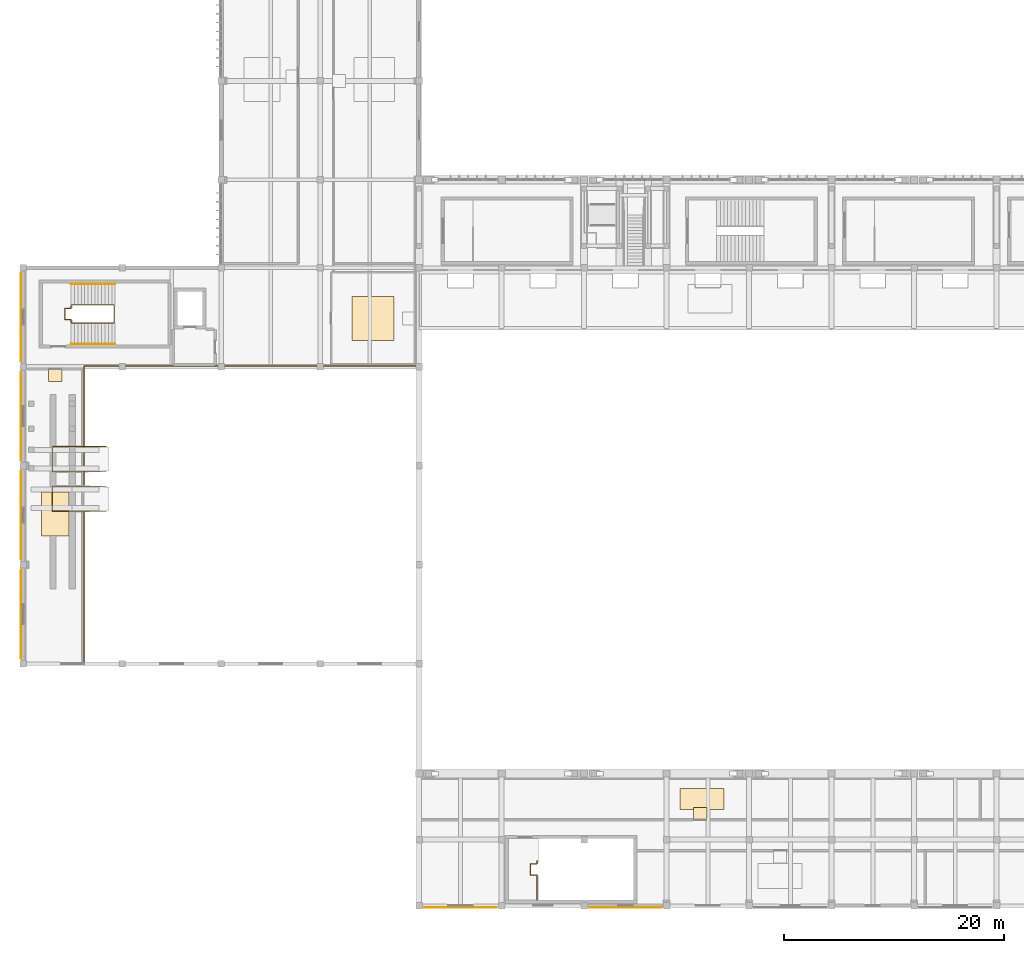
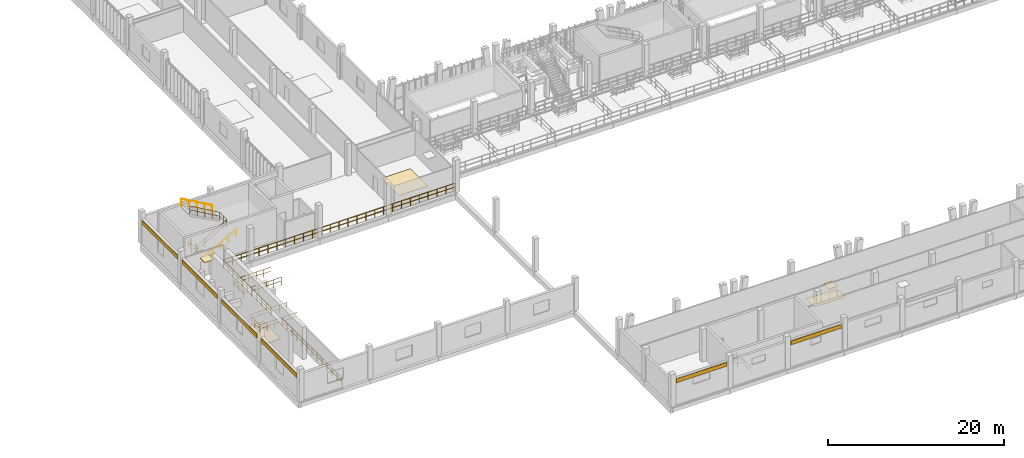
# One storey, part 66 of 81: 11 coverings, 9 railings.
"""IFC4 building model written with IfcOpenShell, lengths in metres."""

from ifc_helpers import new_model, si_unit, direction, frame, origin, origin_2d, place, context, subcontext, project, spatial, rectangle, circle, extrude, material, layer, layer_set, type_object, element, save


model = new_model("IFC4")

# Units and contexts
model_context = context("Model", 3, precision=1e-05, world=origin(), true_north=direction((0.0, 1.0)))
body_context = subcontext(model_context, "Body", "Model", "MODEL_VIEW")
ifc_project = project(units=[si_unit("LENGTHUNIT", "METRE"), si_unit("AREAUNIT", "SQUARE_METRE"), si_unit("VOLUMEUNIT", "CUBIC_METRE"), si_unit("PLANEANGLEUNIT", "RADIAN"), si_unit("MASSUNIT", "GRAM", prefix="KILO")], contexts=[model_context])

# Site, building, storey
site_placement = place(None, origin())
site = spatial("IfcSite", under=ifc_project, at=site_placement, CompositionType="ELEMENT")
building_placement = place(site_placement, origin())
building = spatial("IfcBuilding", under=site, at=building_placement, Name="Vourika Railside Aquatics Centre", CompositionType="ELEMENT")
storey_placement = place(building_placement, frame((0.0, 0.0, 4.800048828125)))
storey = spatial("IfcBuildingStorey", under=building, at=storey_placement, Name="L01", CompositionType="ELEMENT", Elevation=4.800048828125)

# Coverings
ifc_material_1 = material(Name="Perforated moisture-resistant acoustic gypsum ceiling")
ifc_layer_1 = layer(ifc_material_1, 0.02490234375, Name="COV-CEIL-25")
ifc_layer_set_1 = layer_set([ifc_layer_1], Name="Perforated moisture-resistant acoustic gypsum ceiling")
covering_type_1 = type_object("IfcCoveringType", Name="COV-CEIL-25", PredefinedType="CEILING", material=ifc_layer_set_1)
for number, where, z_axis, x_axis, name in (
    (1, (2.89990234375, 48.280029296875, 2.637451171875), (0.0, 0.0, 1.0), (1.0, 0.0, 0.0), "Dryland Diving Trampoline and Harness Studio Acoustic Ceiling Panel"),
    (2, (61.5576171875, 8.320068359375, 2.637451171875), (0.0, 0.0, 1.0), (1.0, 0.0, 0.0), "Technical Officials and Referees Changing Suite West Acoustic Ceiling Panel"),
):
    element("IfcCovering", number, at=place(storey_placement, frame(where, z_axis=z_axis, x_axis=x_axis)), inside=storey, type_object=covering_type_1, Name=name, PredefinedType="CEILING", context=body_context, shape_type="SweptSolid", body=[
        extrude(rectangle(XDim=1.199951171875, YDim=1.199951171875, at=origin_2d()), origin(), (0.0, 0.0, 1.0), 0.02490234375),
    ])
ifc_material_2 = material(Name="Bronze-anodized aluminium rainscreen", Category="aluminium")
ifc_layer_2 = layer(ifc_material_2, 0.044921875, Name="COV-CLAD-45")
ifc_layer_set_2 = layer_set([ifc_layer_2], Name="Bronze-anodized aluminium rainscreen")
covering_type_2 = type_object("IfcCoveringType", Name="COV-CLAD-45", PredefinedType="CLADDING", material=ifc_layer_set_2)
for number, where, z_axis, x_axis, name in (
    (3, (-0.18994140625, 26.5, 2.875), (0.0, 0.0, 1.0), (0.0, -1.0, 0.0), "Perforated Bronze Rainscreen Band CL-017"),
    (4, (-0.18994140625, 35.5, 2.875), (0.0, 0.0, 1.0), (0.0, -1.0, 0.0), "Perforated Bronze Rainscreen Band CL-018"),
    (5, (-0.18994140625, 44.5, 2.875), (0.0, 0.0, 1.0), (0.0, -1.0, 0.0), "Perforated Bronze Rainscreen Band CL-019"),
    (6, (-0.18994140625, 53.5, 2.875), (0.0, 0.0, 1.0), (0.0, -1.0, 0.0), "Perforated Bronze Rainscreen Band CL-020"),
):
    element("IfcCovering", number, at=place(storey_placement, frame(where, z_axis=z_axis, x_axis=x_axis)), inside=storey, type_object=covering_type_2, Name=name, PredefinedType="CLADDING", context=body_context, shape_type="SweptSolid", body=[
        extrude(rectangle(XDim=8.10009765625, YDim=0.044921875, at=origin_2d()), origin(), (0.0, 0.0, 1.0), 0.550048828125),
    ])
for number, where, z_axis, x_axis, name in (
    (7, (39.75, -0.1650390625, 3.07470703125), (0.0, 0.0, 1.0), (1.0, 0.0, 0.0), "Perforated Bronze Rainscreen Band CL-032"),
    (8, (54.75, -0.1650390625, 3.07470703125), (0.0, 0.0, 1.0), (1.0, 0.0, 0.0), "Perforated Bronze Rainscreen Band CL-033"),
):
    element("IfcCovering", number, at=place(storey_placement, frame(where, z_axis=z_axis, x_axis=x_axis)), inside=storey, type_object=covering_type_2, Name=name, PredefinedType="CLADDING", context=body_context, shape_type="SweptSolid", body=[
        extrude(rectangle(XDim=6.60009765625, YDim=0.044921875, at=origin_2d()), origin(), (0.0, 0.0, 1.0), 0.550048828125),
    ])
ifc_material_3 = material(Name="Slip-resistant aqua ceramic sports flooring")
ifc_layer_3 = layer(ifc_material_3, 0.02001953125, Name="COV-FLOR-20")
ifc_layer_set_3 = layer_set([ifc_layer_3], Name="Slip-resistant aqua ceramic sports flooring")
covering_type_3 = type_object("IfcCoveringType", Name="COV-FLOR-20", PredefinedType="FLOORING", material=ifc_layer_set_3)
covering_1_placement = place(storey_placement, frame((2.89990234375, 35.60009765625, 0.0), z_axis=(0.0, 0.0, 1.0), x_axis=(1.0, 0.0, 0.0)))
element("IfcCovering", 9, at=covering_1_placement, inside=storey, type_object=covering_type_3, Name="Dryland Diving Trampoline and Harness Studio Sports Flooring Panel", PredefinedType="FLOORING", context=body_context, shape_type="SweptSolid", body=[
    extrude(rectangle(XDim=2.5, YDim=4.0, at=origin_2d()), origin(), (0.0, 0.0, 1.0), 0.02001953125),
])
covering_2_placement = place(storey_placement, frame((31.800048828125, 53.39990234375, 0.0), z_axis=(0.0, 0.0, 1.0), x_axis=(1.0, 0.0, 0.0)))
element("IfcCovering", 10, at=covering_2_placement, inside=storey, type_object=covering_type_3, Name="Diving Judges and Coaching Observation Deck Sports Flooring Panel", PredefinedType="FLOORING", context=body_context, shape_type="SweptSolid", body=[
    extrude(rectangle(XDim=3.800048828125, YDim=4.0, at=origin_2d()), origin(), (0.0, 0.0, 1.0), 0.02001953125),
])
covering_3_placement = place(storey_placement, frame((61.699951171875, 9.699951171875, 0.0), z_axis=(0.0, 0.0, 1.0), x_axis=(1.0, 0.0, 0.0)))
element("IfcCovering", 11, at=covering_3_placement, inside=storey, type_object=covering_type_3, Name="Technical Officials and Referees Changing Suite West Sports Flooring Panel", PredefinedType="FLOORING", context=body_context, shape_type="SweptSolid", body=[
    extrude(rectangle(XDim=4.0, YDim=1.89990234375, at=origin_2d()), origin(), (0.0, 0.0, 1.0), 0.02001953125),
])

# Railings
ifc_material_4 = material(Name="Duplex stainless steel EN 1.4462", Category="steel")
railing_type_1 = type_object("IfcRailingType", Name="RL-BAL-GLS110", PredefinedType="BALUSTRADE", material=ifc_material_4)
railing_1_placement = place(storey_placement, frame((5.5400390625, 22.14990234375, 0.0)))
element("IfcRailing", 12, at=railing_1_placement, inside=storey, type_object=railing_type_1, Name="Dryland Gallery Poolside Guard South", PredefinedType="BALUSTRADE", context=body_context, shape_type="SweptSolid", body=[
    extrude(circle(Radius=0.02392578125, at=origin_2d()), frame((0.0, 0.0, 1.076171875), z_axis=(0.0, 1.0, 0.0), x_axis=(-1.0, 0.0, 0.0)), (0.0, 0.0, 1.0), 13.60009765625),
    extrude(circle(Radius=0.02392578125, at=origin_2d()), frame((0.0, 0.0, 0.550048828125), z_axis=(0.0, 1.0, 0.0), x_axis=(-1.0, 0.0, 0.0)), (0.0, 0.0, 1.0), 13.60009765625),
    extrude(circle(Radius=0.02099609375, at=origin_2d()), origin(), (0.0, 0.0, 1.0), 1.052001953125),
    extrude(circle(Radius=0.02099609375, at=origin_2d()), frame((0.0, 1.13330078125, 0.0)), (0.0, 0.0, 1.0), 1.052001953125),
    extrude(circle(Radius=0.02099609375, at=origin_2d()), frame((0.0, 2.2666015625, 0.0)), (0.0, 0.0, 1.0), 1.052001953125),
    extrude(circle(Radius=0.02099609375, at=origin_2d()), frame((0.0, 3.39990234375, 0.0)), (0.0, 0.0, 1.0), 1.052001953125),
    extrude(circle(Radius=0.02099609375, at=origin_2d()), frame((0.0, 4.533447265625, 0.0)), (0.0, 0.0, 1.0), 1.052001953125),
    extrude(circle(Radius=0.02099609375, at=origin_2d()), frame((0.0, 5.666748046875, 0.0)), (0.0, 0.0, 1.0), 1.052001953125),
    extrude(circle(Radius=0.02099609375, at=origin_2d()), frame((0.0, 6.800048828125, 0.0)), (0.0, 0.0, 1.0), 1.052001953125),
    extrude(circle(Radius=0.02099609375, at=origin_2d()), frame((0.0, 7.933349609375, 0.0)), (0.0, 0.0, 1.0), 1.052001953125),
    extrude(circle(Radius=0.02099609375, at=origin_2d()), frame((0.0, 9.066650390625, 0.0)), (0.0, 0.0, 1.0), 1.052001953125),
    extrude(circle(Radius=0.02099609375, at=origin_2d()), frame((0.0, 10.2001953125, 0.0)), (0.0, 0.0, 1.0), 1.052001953125),
    extrude(circle(Radius=0.02099609375, at=origin_2d()), frame((0.0, 11.33349609375, 0.0)), (0.0, 0.0, 1.0), 1.052001953125),
    extrude(circle(Radius=0.02099609375, at=origin_2d()), frame((0.0, 12.466796875, 0.0)), (0.0, 0.0, 1.0), 1.052001953125),
    extrude(circle(Radius=0.02099609375, at=origin_2d()), frame((0.0, 13.60009765625, 0.0)), (0.0, 0.0, 1.0), 1.052001953125),
])
railing_2_placement = place(storey_placement, frame((5.5400390625, 38.25, 0.0)))
element("IfcRailing", 13, at=railing_2_placement, inside=storey, type_object=railing_type_1, Name="Dryland & Judges Deck Poolside Balustrade", PredefinedType="BALUSTRADE", context=body_context, shape_type="SweptSolid", body=[
    extrude(circle(Radius=0.02392578125, at=origin_2d()), frame((0.0, 0.0, 1.076171875), z_axis=(0.0, 1.0, 0.0), x_axis=(-1.0, 0.0, 0.0)), (0.0, 0.0, 1.0), 10.81005859375),
    extrude(circle(Radius=0.02392578125, at=origin_2d()), frame((0.0, 0.0, 0.550048828125), z_axis=(0.0, 1.0, 0.0), x_axis=(-1.0, 0.0, 0.0)), (0.0, 0.0, 1.0), 10.81005859375),
    extrude(circle(Radius=0.02392578125, at=origin_2d()), frame((0.0, 10.81005859375, 1.076171875), z_axis=(1.0, 0.0, 0.0), x_axis=(0.0, 1.0, 0.0)), (0.0, 0.0, 1.0), 30.31005859375),
    extrude(circle(Radius=0.02392578125, at=origin_2d()), frame((0.0, 10.81005859375, 0.550048828125), z_axis=(1.0, 0.0, 0.0), x_axis=(0.0, 1.0, 0.0)), (0.0, 0.0, 1.0), 30.31005859375),
    extrude(circle(Radius=0.02099609375, at=origin_2d()), origin(), (0.0, 0.0, 1.0), 1.052001953125),
    extrude(circle(Radius=0.02099609375, at=origin_2d()), frame((0.0, 1.0810546875, 0.0)), (0.0, 0.0, 1.0), 1.052001953125),
    extrude(circle(Radius=0.02099609375, at=origin_2d()), frame((0.0, 2.162109375, 0.0)), (0.0, 0.0, 1.0), 1.052001953125),
    extrude(circle(Radius=0.02099609375, at=origin_2d()), frame((0.0, 3.242919921875, 0.0)), (0.0, 0.0, 1.0), 1.052001953125),
    extrude(circle(Radius=0.02099609375, at=origin_2d()), frame((0.0, 4.323974609375, 0.0)), (0.0, 0.0, 1.0), 1.052001953125),
    extrude(circle(Radius=0.02099609375, at=origin_2d()), frame((0.0, 5.405029296875, 0.0)), (0.0, 0.0, 1.0), 1.052001953125),
    extrude(circle(Radius=0.02099609375, at=origin_2d()), frame((0.0, 6.486083984375, 0.0)), (0.0, 0.0, 1.0), 1.052001953125),
    extrude(circle(Radius=0.02099609375, at=origin_2d()), frame((0.0, 7.567138671875, 0.0)), (0.0, 0.0, 1.0), 1.052001953125),
    extrude(circle(Radius=0.02099609375, at=origin_2d()), frame((0.0, 8.64794921875, 0.0)), (0.0, 0.0, 1.0), 1.052001953125),
    extrude(circle(Radius=0.02099609375, at=origin_2d()), frame((0.0, 9.72900390625, 0.0)), (0.0, 0.0, 1.0), 1.052001953125),
    extrude(circle(Radius=0.02099609375, at=origin_2d()), frame((0.0, 10.81005859375, 0.0)), (0.0, 0.0, 1.0), 1.052001953125),
    extrude(circle(Radius=0.02099609375, at=origin_2d()), frame((1.165771484375, 10.81005859375, 0.0)), (0.0, 0.0, 1.0), 1.052001953125),
    extrude(circle(Radius=0.02099609375, at=origin_2d()), frame((2.33154296875, 10.81005859375, 0.0)), (0.0, 0.0, 1.0), 1.052001953125),
    extrude(circle(Radius=0.02099609375, at=origin_2d()), frame((3.497314453125, 10.81005859375, 0.0)), (0.0, 0.0, 1.0), 1.052001953125),
    extrude(circle(Radius=0.02099609375, at=origin_2d()), frame((4.6630859375, 10.81005859375, 0.0)), (0.0, 0.0, 1.0), 1.052001953125),
    extrude(circle(Radius=0.02099609375, at=origin_2d()), frame((5.828857421875, 10.81005859375, 0.0)), (0.0, 0.0, 1.0), 1.052001953125),
    extrude(circle(Radius=0.02099609375, at=origin_2d()), frame((6.99462890625, 10.81005859375, 0.0)), (0.0, 0.0, 1.0), 1.052001953125),
    extrude(circle(Radius=0.02099609375, at=origin_2d()), frame((8.160400390625, 10.81005859375, 0.0)), (0.0, 0.0, 1.0), 1.052001953125),
    extrude(circle(Radius=0.02099609375, at=origin_2d()), frame((9.326171875, 10.81005859375, 0.0)), (0.0, 0.0, 1.0), 1.052001953125),
    extrude(circle(Radius=0.02099609375, at=origin_2d()), frame((10.491943359375, 10.81005859375, 0.0)), (0.0, 0.0, 1.0), 1.052001953125),
    extrude(circle(Radius=0.02099609375, at=origin_2d()), frame((11.65771484375, 10.81005859375, 0.0)), (0.0, 0.0, 1.0), 1.052001953125),
    extrude(circle(Radius=0.02099609375, at=origin_2d()), frame((12.823486328125, 10.81005859375, 0.0)), (0.0, 0.0, 1.0), 1.052001953125),
    extrude(circle(Radius=0.02099609375, at=origin_2d()), frame((13.9892578125, 10.81005859375, 0.0)), (0.0, 0.0, 1.0), 1.052001953125),
    extrude(circle(Radius=0.02099609375, at=origin_2d()), frame((15.155029296875, 10.81005859375, 0.0)), (0.0, 0.0, 1.0), 1.052001953125),
    extrude(circle(Radius=0.02099609375, at=origin_2d()), frame((16.32080078125, 10.81005859375, 0.0)), (0.0, 0.0, 1.0), 1.052001953125),
    extrude(circle(Radius=0.02099609375, at=origin_2d()), frame((17.486572265625, 10.81005859375, 0.0)), (0.0, 0.0, 1.0), 1.052001953125),
    extrude(circle(Radius=0.02099609375, at=origin_2d()), frame((18.65234375, 10.81005859375, 0.0)), (0.0, 0.0, 1.0), 1.052001953125),
    extrude(circle(Radius=0.02099609375, at=origin_2d()), frame((19.818115234375, 10.81005859375, 0.0)), (0.0, 0.0, 1.0), 1.052001953125),
    extrude(circle(Radius=0.02099609375, at=origin_2d()), frame((20.98388671875, 10.81005859375, 0.0)), (0.0, 0.0, 1.0), 1.052001953125),
    extrude(circle(Radius=0.02099609375, at=origin_2d()), frame((22.149658203125, 10.81005859375, 0.0)), (0.0, 0.0, 1.0), 1.052001953125),
    extrude(circle(Radius=0.02099609375, at=origin_2d()), frame((23.3154296875, 10.81005859375, 0.0)), (0.0, 0.0, 1.0), 1.052001953125),
    extrude(circle(Radius=0.02099609375, at=origin_2d()), frame((24.481201171875, 10.81005859375, 0.0)), (0.0, 0.0, 1.0), 1.052001953125),
    extrude(circle(Radius=0.02099609375, at=origin_2d()), frame((25.64697265625, 10.81005859375, 0.0)), (0.0, 0.0, 1.0), 1.052001953125),
    extrude(circle(Radius=0.02099609375, at=origin_2d()), frame((26.812744140625, 10.81005859375, 0.0)), (0.0, 0.0, 1.0), 1.052001953125),
    extrude(circle(Radius=0.02099609375, at=origin_2d()), frame((27.978515625, 10.81005859375, 0.0)), (0.0, 0.0, 1.0), 1.052001953125),
    extrude(circle(Radius=0.02099609375, at=origin_2d()), frame((29.144287109375, 10.81005859375, 0.0)), (0.0, 0.0, 1.0), 1.052001953125),
    extrude(circle(Radius=0.02099609375, at=origin_2d()), frame((30.31005859375, 10.81005859375, 0.0)), (0.0, 0.0, 1.0), 1.052001953125),
])
railing_type_2 = type_object("IfcRailingType", Name="RL-BAL-STL", PredefinedType="BALUSTRADE", material=ifc_material_4)
railing_3_placement = place(storey_placement, frame((7.550048828125, 35.85009765625, 0.0)))
element("IfcRailing", 14, at=railing_3_placement, inside=storey, type_object=railing_type_2, Name="Diving Platform 5.0 m Safety Guardrail", PredefinedType="BALUSTRADE", context=body_context, shape_type="SweptSolid", body=[
    extrude(circle(Radius=0.02392578125, at=origin_2d()), frame((0.0, 0.0, 1.09619140625), z_axis=(-1.0, 0.0, 0.0), x_axis=(0.0, -1.0, 0.0)), (0.0, 0.0, 1.0), 4.900146484375),
    extrude(circle(Radius=0.02392578125, at=origin_2d()), frame((0.0, 0.0, 0.56005859375), z_axis=(-1.0, 0.0, 0.0), x_axis=(0.0, -1.0, 0.0)), (0.0, 0.0, 1.0), 4.900146484375),
    extrude(circle(Radius=0.02392578125, at=origin_2d()), frame((-4.900146484375, 0.0, 1.09619140625), z_axis=(0.0, 1.0, 0.0), x_axis=(-1.0, 0.0, 0.0)), (0.0, 0.0, 1.0), 2.2998046875),
    extrude(circle(Radius=0.02392578125, at=origin_2d()), frame((-4.900146484375, 0.0, 0.56005859375), z_axis=(0.0, 1.0, 0.0), x_axis=(-1.0, 0.0, 0.0)), (0.0, 0.0, 1.0), 2.2998046875),
    extrude(circle(Radius=0.02392578125, at=origin_2d()), frame((-4.900146484375, 2.2998046875, 1.09619140625), z_axis=(1.0, 0.0, 0.0), x_axis=(0.0, 1.0, 0.0)), (0.0, 0.0, 1.0), 4.900146484375),
    extrude(circle(Radius=0.02392578125, at=origin_2d()), frame((-4.900146484375, 2.2998046875, 0.56005859375), z_axis=(1.0, 0.0, 0.0), x_axis=(0.0, 1.0, 0.0)), (0.0, 0.0, 1.0), 4.900146484375),
    extrude(circle(Radius=0.02099609375, at=origin_2d()), origin(), (0.0, 0.0, 1.0), 1.072021484375),
    extrude(circle(Radius=0.02099609375, at=origin_2d()), frame((-0.97998046875, 0.0, 0.0)), (0.0, 0.0, 1.0), 1.072021484375),
    extrude(circle(Radius=0.02099609375, at=origin_2d()), frame((-1.9599609375, 0.0, 0.0)), (0.0, 0.0, 1.0), 1.072021484375),
    extrude(circle(Radius=0.02099609375, at=origin_2d()), frame((-2.940185546875, 0.0, 0.0)), (0.0, 0.0, 1.0), 1.072021484375),
    extrude(circle(Radius=0.02099609375, at=origin_2d()), frame((-3.920166015625, 0.0, 0.0)), (0.0, 0.0, 1.0), 1.072021484375),
    extrude(circle(Radius=0.02099609375, at=origin_2d()), frame((-4.900146484375, 0.0, 0.0)), (0.0, 0.0, 1.0), 1.072021484375),
    extrude(circle(Radius=0.02099609375, at=origin_2d()), frame((-4.900146484375, 1.14990234375, 0.0)), (0.0, 0.0, 1.0), 1.072021484375),
    extrude(circle(Radius=0.02099609375, at=origin_2d()), frame((-4.900146484375, 2.2998046875, 0.0)), (0.0, 0.0, 1.0), 1.072021484375),
    extrude(circle(Radius=0.02099609375, at=origin_2d()), frame((-3.920166015625, 2.2998046875, 0.0)), (0.0, 0.0, 1.0), 1.072021484375),
    extrude(circle(Radius=0.02099609375, at=origin_2d()), frame((-2.940185546875, 2.2998046875, 0.0)), (0.0, 0.0, 1.0), 1.072021484375),
    extrude(circle(Radius=0.02099609375, at=origin_2d()), frame((-1.9599609375, 2.2998046875, 0.0)), (0.0, 0.0, 1.0), 1.072021484375),
    extrude(circle(Radius=0.02099609375, at=origin_2d()), frame((-0.97998046875, 2.2998046875, 0.0)), (0.0, 0.0, 1.0), 1.072021484375),
    extrude(circle(Radius=0.02099609375, at=origin_2d()), frame((0.0, 2.2998046875, 0.0)), (0.0, 0.0, 1.0), 1.072021484375),
])
railing_4_placement = place(storey_placement, frame((7.550048828125, 39.449951171875, 2.699951171875)))
element("IfcRailing", 15, at=railing_4_placement, inside=storey, type_object=railing_type_2, Name="Diving Platform 7.5 m Safety Guardrail", PredefinedType="BALUSTRADE", context=body_context, shape_type="SweptSolid", body=[
    extrude(circle(Radius=0.02392578125, at=origin_2d()), frame((0.0, 0.0, 1.09619140625), z_axis=(-1.0, 0.0, 0.0), x_axis=(0.0, -1.0, 0.0)), (0.0, 0.0, 1.0), 4.900146484375),
    extrude(circle(Radius=0.02392578125, at=origin_2d()), frame((0.0, 0.0, 0.56005859375), z_axis=(-1.0, 0.0, 0.0), x_axis=(0.0, -1.0, 0.0)), (0.0, 0.0, 1.0), 4.900146484375),
    extrude(circle(Radius=0.02392578125, at=origin_2d()), frame((-4.900146484375, 0.0, 1.09619140625), z_axis=(0.0, 1.0, 0.0), x_axis=(-1.0, 0.0, 0.0)), (0.0, 0.0, 1.0), 2.300048828125),
    extrude(circle(Radius=0.02392578125, at=origin_2d()), frame((-4.900146484375, 0.0, 0.56005859375), z_axis=(0.0, 1.0, 0.0), x_axis=(-1.0, 0.0, 0.0)), (0.0, 0.0, 1.0), 2.300048828125),
    extrude(circle(Radius=0.02392578125, at=origin_2d()), frame((-4.900146484375, 2.300048828125, 1.09619140625), z_axis=(1.0, 0.0, 0.0), x_axis=(0.0, 1.0, 0.0)), (0.0, 0.0, 1.0), 4.900146484375),
    extrude(circle(Radius=0.02392578125, at=origin_2d()), frame((-4.900146484375, 2.300048828125, 0.56005859375), z_axis=(1.0, 0.0, 0.0), x_axis=(0.0, 1.0, 0.0)), (0.0, 0.0, 1.0), 4.900146484375),
    extrude(circle(Radius=0.02099609375, at=origin_2d()), origin(), (0.0, 0.0, 1.0), 1.072021484375),
    extrude(circle(Radius=0.02099609375, at=origin_2d()), frame((-0.97998046875, 0.0, 0.0)), (0.0, 0.0, 1.0), 1.072021484375),
    extrude(circle(Radius=0.02099609375, at=origin_2d()), frame((-1.9599609375, 0.0, 0.0)), (0.0, 0.0, 1.0), 1.072021484375),
    extrude(circle(Radius=0.02099609375, at=origin_2d()), frame((-2.940185546875, 0.0, 0.0)), (0.0, 0.0, 1.0), 1.072021484375),
    extrude(circle(Radius=0.02099609375, at=origin_2d()), frame((-3.920166015625, 0.0, 0.0)), (0.0, 0.0, 1.0), 1.072021484375),
    extrude(circle(Radius=0.02099609375, at=origin_2d()), frame((-4.900146484375, 0.0, 0.0)), (0.0, 0.0, 1.0), 1.072021484375),
    extrude(circle(Radius=0.02099609375, at=origin_2d()), frame((-4.900146484375, 1.14990234375, 0.0)), (0.0, 0.0, 1.0), 1.072021484375),
    extrude(circle(Radius=0.02099609375, at=origin_2d()), frame((-4.900146484375, 2.300048828125, 0.0)), (0.0, 0.0, 1.0), 1.072021484375),
    extrude(circle(Radius=0.02099609375, at=origin_2d()), frame((-3.920166015625, 2.300048828125, 0.0)), (0.0, 0.0, 1.0), 1.072021484375),
    extrude(circle(Radius=0.02099609375, at=origin_2d()), frame((-2.940185546875, 2.300048828125, 0.0)), (0.0, 0.0, 1.0), 1.072021484375),
    extrude(circle(Radius=0.02099609375, at=origin_2d()), frame((-1.9599609375, 2.300048828125, 0.0)), (0.0, 0.0, 1.0), 1.072021484375),
    extrude(circle(Radius=0.02099609375, at=origin_2d()), frame((-0.97998046875, 2.300048828125, 0.0)), (0.0, 0.0, 1.0), 1.072021484375),
    extrude(circle(Radius=0.02099609375, at=origin_2d()), frame((0.0, 2.300048828125, 0.0)), (0.0, 0.0, 1.0), 1.072021484375),
])
railing_type_3 = type_object("IfcRailingType", Name="RL-HAND-920", PredefinedType="HANDRAIL", material=ifc_material_4)
railing_5_placement = place(storey_placement, frame((4.35009765625, 51.06005859375, 0.0)))
element("IfcRailing", 16, at=railing_5_placement, inside=storey, type_object=railing_type_3, Name="Protected Exit Stair Core ST04 Lower Wall Handrail (L01)", PredefinedType="HANDRAIL", context=body_context, shape_type="SweptSolid", body=[
    extrude(circle(Radius=0.02392578125, at=origin_2d()), frame((0.0, 0.0, 0.89599609375), z_axis=(0.871779888281, 0.0, 0.489897771366), x_axis=(0.0, 1.0, 0.0)), (0.0, 0.0, 1.0), 4.5927734375),
    extrude(circle(Radius=0.02099609375, at=origin_2d()), origin(), (0.0, 0.0, 1.0), 0.871826171875),
    extrude(circle(Radius=0.02099609375, at=origin_2d()), frame((1.0009765625, 0.0, 0.5625)), (0.0, 0.0, 1.0), 0.871826171875),
    extrude(circle(Radius=0.02099609375, at=origin_2d()), frame((2.001953125, 0.0, 1.125)), (0.0, 0.0, 1.0), 0.871826171875),
    extrude(circle(Radius=0.02099609375, at=origin_2d()), frame((3.0029296875, 0.0, 1.6875)), (0.0, 0.0, 1.0), 0.871826171875),
    extrude(circle(Radius=0.02099609375, at=origin_2d()), frame((4.00390625, 0.0, 2.25)), (0.0, 0.0, 1.0), 0.871826171875),
])
railing_6_placement = place(storey_placement, frame((8.35400390625, 56.5400390625, 2.25)))
element("IfcRailing", 17, at=railing_6_placement, inside=storey, type_object=railing_type_3, Name="Protected Exit Stair Core ST04 Upper Wall Handrail (L01)", PredefinedType="HANDRAIL", context=body_context, shape_type="SweptSolid", body=[
    extrude(circle(Radius=0.02392578125, at=origin_2d()), frame((0.0, 0.0, 0.89599609375), z_axis=(-0.871779888281, 0.0, 0.489897771366), x_axis=(0.0, -1.0, 0.0)), (0.0, 0.0, 1.0), 4.5927734375),
    extrude(circle(Radius=0.02099609375, at=origin_2d()), origin(), (0.0, 0.0, 1.0), 0.871826171875),
    extrude(circle(Radius=0.02099609375, at=origin_2d()), frame((-1.0009765625, 0.0, 0.5625)), (0.0, 0.0, 1.0), 0.871826171875),
    extrude(circle(Radius=0.02099609375, at=origin_2d()), frame((-2.001953125, 0.0, 1.125)), (0.0, 0.0, 1.0), 0.871826171875),
    extrude(circle(Radius=0.02099609375, at=origin_2d()), frame((-3.0029296875, 0.0, 1.6875)), (0.0, 0.0, 1.0), 0.871826171875),
    extrude(circle(Radius=0.02099609375, at=origin_2d()), frame((-4.00390625, 0.0, 2.25)), (0.0, 0.0, 1.0), 0.871826171875),
])
railing_type_4 = type_object("IfcRailingType", Name="RL-STAIR-1120", PredefinedType="BALUSTRADE", material=ifc_material_4)
railing_7_placement = place(storey_placement, frame((4.35009765625, 53.050048828125, 0.0)))
element("IfcRailing", 18, at=railing_7_placement, inside=storey, type_object=railing_type_4, Name="Protected Exit Stair Core ST04 Well Edge Guard (L01)", PredefinedType="BALUSTRADE", context=body_context, shape_type="SweptSolid", body=[
    extrude(circle(Radius=0.02392578125, at=origin_2d()), frame((0.0, 0.0, 1.09619140625), z_axis=(0.0, 1.0, 0.0), x_axis=(-1.0, 0.0, 0.0)), (0.0, 0.0, 1.0), 0.25),
    extrude(circle(Radius=0.02392578125, at=origin_2d()), frame((0.0, 0.0, 0.56005859375), z_axis=(0.0, 1.0, 0.0), x_axis=(-1.0, 0.0, 0.0)), (0.0, 0.0, 1.0), 0.25),
    extrude(circle(Radius=0.02392578125, at=origin_2d()), frame((0.0, 0.25, 1.09619140625), z_axis=(-1.0, 0.0, 0.0), x_axis=(0.0, -1.0, 0.0)), (0.0, 0.0, 1.0), 0.570068359375),
    extrude(circle(Radius=0.02392578125, at=origin_2d()), frame((0.0, 0.25, 0.56005859375), z_axis=(-1.0, 0.0, 0.0), x_axis=(0.0, -1.0, 0.0)), (0.0, 0.0, 1.0), 0.570068359375),
    extrude(circle(Radius=0.02392578125, at=origin_2d()), frame((-0.570068359375, 0.25, 1.09619140625), z_axis=(0.0, 1.0, 0.0), x_axis=(-1.0, 0.0, 0.0)), (0.0, 0.0, 1.0), 1.0),
    extrude(circle(Radius=0.02392578125, at=origin_2d()), frame((-0.570068359375, 0.25, 0.56005859375), z_axis=(0.0, 1.0, 0.0), x_axis=(-1.0, 0.0, 0.0)), (0.0, 0.0, 1.0), 1.0),
    extrude(circle(Radius=0.02392578125, at=origin_2d()), frame((-0.570068359375, 1.25, 1.09619140625), z_axis=(1.0, 0.0, 0.0), x_axis=(0.0, 1.0, 0.0)), (0.0, 0.0, 1.0), 0.570068359375),
    extrude(circle(Radius=0.02392578125, at=origin_2d()), frame((-0.570068359375, 1.25, 0.56005859375), z_axis=(1.0, 0.0, 0.0), x_axis=(0.0, 1.0, 0.0)), (0.0, 0.0, 1.0), 0.570068359375),
    extrude(circle(Radius=0.02392578125, at=origin_2d()), frame((0.0, 1.25, 1.09619140625), z_axis=(0.0, 1.0, 0.0), x_axis=(-1.0, 0.0, 0.0)), (0.0, 0.0, 1.0), 0.25),
    extrude(circle(Radius=0.02392578125, at=origin_2d()), frame((0.0, 1.25, 0.56005859375), z_axis=(0.0, 1.0, 0.0), x_axis=(-1.0, 0.0, 0.0)), (0.0, 0.0, 1.0), 0.25),
    extrude(circle(Radius=0.02099609375, at=origin_2d()), origin(), (0.0, 0.0, 1.0), 1.072021484375),
    extrude(circle(Radius=0.02099609375, at=origin_2d()), frame((0.0, 0.25, 0.0)), (0.0, 0.0, 1.0), 1.072021484375),
    extrude(circle(Radius=0.02099609375, at=origin_2d()), frame((-0.570068359375, 0.25, 0.0)), (0.0, 0.0, 1.0), 1.072021484375),
    extrude(circle(Radius=0.02099609375, at=origin_2d()), frame((-0.570068359375, 1.25, 0.0)), (0.0, 0.0, 1.0), 1.072021484375),
    extrude(circle(Radius=0.02099609375, at=origin_2d()), frame((0.0, 1.25, 0.0)), (0.0, 0.0, 1.0), 1.072021484375),
    extrude(circle(Radius=0.02099609375, at=origin_2d()), frame((0.0, 1.5, 0.0)), (0.0, 0.0, 1.0), 1.072021484375),
])
railing_8_placement = place(storey_placement, frame((4.35009765625, 52.97998046875, 0.0)))
element("IfcRailing", 19, at=railing_8_placement, inside=storey, type_object=railing_type_4, Name="Protected Exit Stair Core ST04 Center Well Guard (L01)", PredefinedType="BALUSTRADE", context=body_context, shape_type="SweptSolid", body=[
    extrude(circle(Radius=0.02392578125, at=origin_2d()), frame((0.0, 0.0, 1.09619140625), z_axis=(0.866396590483, 0.0, 0.499356533952), x_axis=(0.0, 1.0, 0.0)), (0.0, 0.0, 1.0), 4.505859375),
    extrude(circle(Radius=0.02392578125, at=origin_2d()), frame((0.0, 0.0, 0.56005859375), z_axis=(0.866396590483, 0.0, 0.499356533952), x_axis=(0.0, 1.0, 0.0)), (0.0, 0.0, 1.0), 4.505859375),
    extrude(circle(Radius=0.02392578125, at=origin_2d()), frame((3.90380859375, 0.0, 3.34619140625), z_axis=(0.0, 1.0, 0.0), x_axis=(-1.0, 0.0, 0.0)), (0.0, 0.0, 1.0), 1.64013671875),
    extrude(circle(Radius=0.02392578125, at=origin_2d()), frame((3.90380859375, 0.0, 2.81005859375), z_axis=(0.0, 1.0, 0.0), x_axis=(-1.0, 0.0, 0.0)), (0.0, 0.0, 1.0), 1.64013671875),
    extrude(circle(Radius=0.02392578125, at=origin_2d()), frame((3.90380859375, 1.64013671875, 3.34619140625), z_axis=(-0.866396590483, 0.0, 0.499356533952), x_axis=(0.0, -1.0, 0.0)), (0.0, 0.0, 1.0), 4.505859375),
    extrude(circle(Radius=0.02392578125, at=origin_2d()), frame((3.90380859375, 1.64013671875, 2.81005859375), z_axis=(-0.866396590483, 0.0, 0.499356533952), x_axis=(0.0, -1.0, 0.0)), (0.0, 0.0, 1.0), 4.505859375),
    extrude(circle(Radius=0.02099609375, at=origin_2d()), origin(), (0.0, 0.0, 1.0), 1.072021484375),
    extrude(circle(Radius=0.02099609375, at=origin_2d()), frame((0.97607421875, 0.0, 0.5625)), (0.0, 0.0, 1.0), 1.072021484375),
    extrude(circle(Radius=0.02099609375, at=origin_2d()), frame((1.951904296875, 0.0, 1.125)), (0.0, 0.0, 1.0), 1.072021484375),
    extrude(circle(Radius=0.02099609375, at=origin_2d()), frame((2.927734375, 0.0, 1.6875)), (0.0, 0.0, 1.0), 1.072021484375),
    extrude(circle(Radius=0.02099609375, at=origin_2d()), frame((3.90380859375, 0.0, 2.25)), (0.0, 0.0, 1.0), 1.072021484375),
    extrude(circle(Radius=0.02099609375, at=origin_2d()), frame((3.90380859375, 0.820068359375, 2.25)), (0.0, 0.0, 1.0), 1.072021484375),
    extrude(circle(Radius=0.02099609375, at=origin_2d()), frame((3.90380859375, 1.64013671875, 2.25)), (0.0, 0.0, 1.0), 1.072021484375),
    extrude(circle(Radius=0.02099609375, at=origin_2d()), frame((2.927734375, 1.64013671875, 2.8125)), (0.0, 0.0, 1.0), 1.072021484375),
    extrude(circle(Radius=0.02099609375, at=origin_2d()), frame((1.951904296875, 1.64013671875, 3.375)), (0.0, 0.0, 1.0), 1.072021484375),
    extrude(circle(Radius=0.02099609375, at=origin_2d()), frame((0.97607421875, 1.64013671875, 3.9375)), (0.0, 0.0, 1.0), 1.072021484375),
    extrude(circle(Radius=0.02099609375, at=origin_2d()), frame((0.0, 1.64013671875, 4.5)), (0.0, 0.0, 1.0), 1.072021484375),
])
railing_9_placement = place(storey_placement, frame((46.699951171875, 0.52001953125, 0.0)))
element("IfcRailing", 20, at=railing_9_placement, inside=storey, type_object=railing_type_4, Name="Protected Exit Stair Core ST11 Well Edge Guard (L01)", PredefinedType="BALUSTRADE", context=body_context, shape_type="SweptSolid", body=[
    extrude(circle(Radius=0.02392578125, at=origin_2d()), frame((0.0, 0.0, 1.09619140625), z_axis=(0.0, 1.0, 0.0), x_axis=(-1.0, 0.0, 0.0)), (0.0, 0.0, 1.0), 2.280029296875),
    extrude(circle(Radius=0.02392578125, at=origin_2d()), frame((0.0, 0.0, 0.56005859375), z_axis=(0.0, 1.0, 0.0), x_axis=(-1.0, 0.0, 0.0)), (0.0, 0.0, 1.0), 2.280029296875),
    extrude(circle(Radius=0.02392578125, at=origin_2d()), frame((0.0, 2.280029296875, 1.09619140625), z_axis=(-1.0, 0.0, 0.0), x_axis=(0.0, -1.0, 0.0)), (0.0, 0.0, 1.0), 0.570068359375),
    extrude(circle(Radius=0.02392578125, at=origin_2d()), frame((0.0, 2.280029296875, 0.56005859375), z_axis=(-1.0, 0.0, 0.0), x_axis=(0.0, -1.0, 0.0)), (0.0, 0.0, 1.0), 0.570068359375),
    extrude(circle(Radius=0.02392578125, at=origin_2d()), frame((-0.570068359375, 2.280029296875, 1.09619140625), z_axis=(0.0, 1.0, 0.0), x_axis=(-1.0, 0.0, 0.0)), (0.0, 0.0, 1.0), 1.0),
    extrude(circle(Radius=0.02392578125, at=origin_2d()), frame((-0.570068359375, 2.280029296875, 0.56005859375), z_axis=(0.0, 1.0, 0.0), x_axis=(-1.0, 0.0, 0.0)), (0.0, 0.0, 1.0), 1.0),
    extrude(circle(Radius=0.02392578125, at=origin_2d()), frame((-0.570068359375, 3.280029296875, 1.09619140625), z_axis=(1.0, 0.0, 0.0), x_axis=(0.0, 1.0, 0.0)), (0.0, 0.0, 1.0), 0.570068359375),
    extrude(circle(Radius=0.02392578125, at=origin_2d()), frame((-0.570068359375, 3.280029296875, 0.56005859375), z_axis=(1.0, 0.0, 0.0), x_axis=(0.0, 1.0, 0.0)), (0.0, 0.0, 1.0), 0.570068359375),
    extrude(circle(Radius=0.02392578125, at=origin_2d()), frame((0.0, 3.280029296875, 1.09619140625), z_axis=(0.0, 1.0, 0.0), x_axis=(-1.0, 0.0, 0.0)), (0.0, 0.0, 1.0), 0.25),
    extrude(circle(Radius=0.02392578125, at=origin_2d()), frame((0.0, 3.280029296875, 0.56005859375), z_axis=(0.0, 1.0, 0.0), x_axis=(-1.0, 0.0, 0.0)), (0.0, 0.0, 1.0), 0.25),
    extrude(circle(Radius=0.02099609375, at=origin_2d()), origin(), (0.0, 0.0, 1.0), 1.072021484375),
    extrude(circle(Radius=0.02099609375, at=origin_2d()), frame((0.0, 1.14013671875, 0.0)), (0.0, 0.0, 1.0), 1.072021484375),
    extrude(circle(Radius=0.02099609375, at=origin_2d()), frame((0.0, 2.280029296875, 0.0)), (0.0, 0.0, 1.0), 1.072021484375),
    extrude(circle(Radius=0.02099609375, at=origin_2d()), frame((-0.570068359375, 2.280029296875, 0.0)), (0.0, 0.0, 1.0), 1.072021484375),
    extrude(circle(Radius=0.02099609375, at=origin_2d()), frame((-0.570068359375, 3.280029296875, 0.0)), (0.0, 0.0, 1.0), 1.072021484375),
    extrude(circle(Radius=0.02099609375, at=origin_2d()), frame((0.0, 3.280029296875, 0.0)), (0.0, 0.0, 1.0), 1.072021484375),
    extrude(circle(Radius=0.02099609375, at=origin_2d()), frame((0.0, 3.530029296875, 0.0)), (0.0, 0.0, 1.0), 1.072021484375),
])

save(model, "model.ifc")
